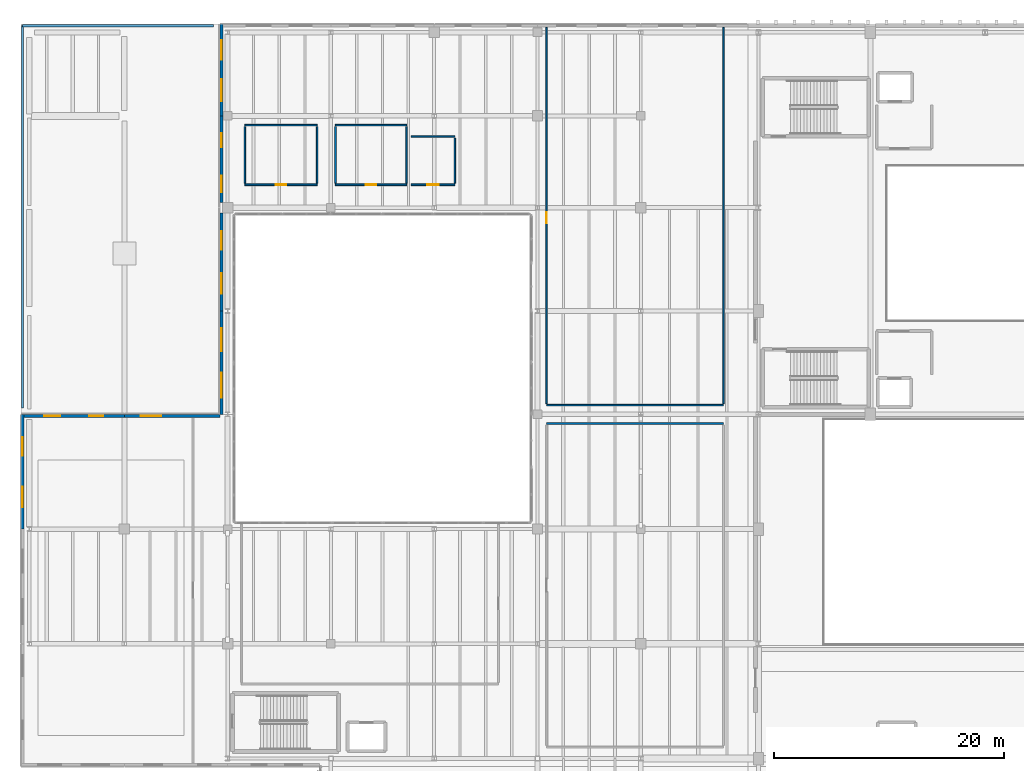
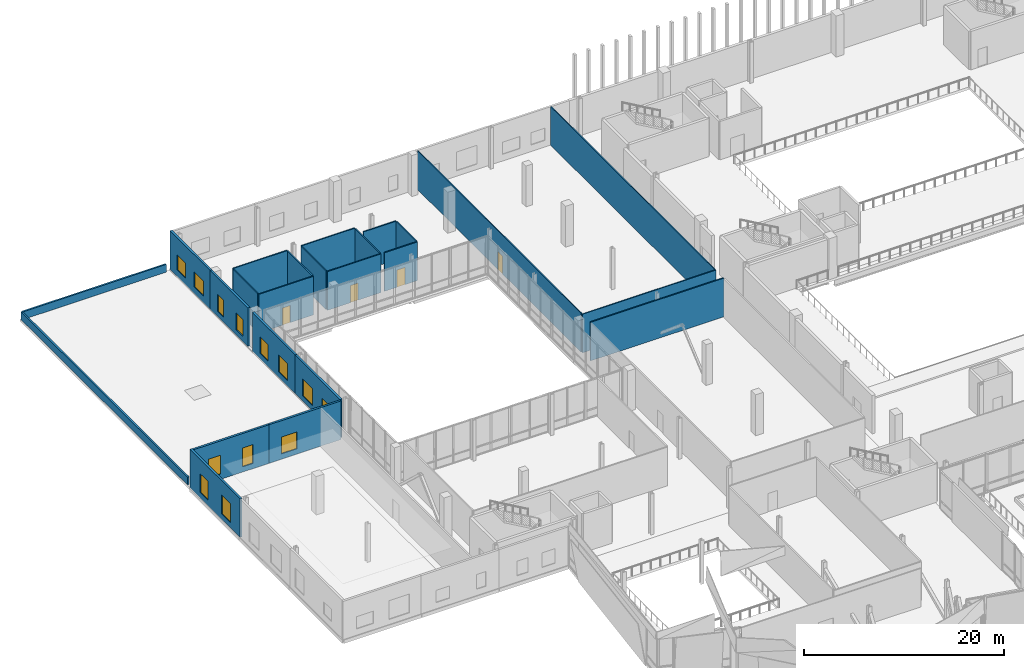
# One storey, part 44 of 60: 24 walls, 13 windows, 4 doors, 17 openings.
"""IFC4 building model written with IfcOpenShell, lengths in metres."""

from ifc_helpers import new_model, si_unit, direction, frame, frame_2d, origin, place, context, subcontext, project, spatial, rectangle, extrude, material, layer, layer_set, type_object, element, fill, save


model = new_model("IFC4")

# Units and contexts
model_context = context("Model", 3, precision=1e-05, world=origin(), true_north=direction((0.0, 1.0)))
body_context = subcontext(model_context, "Body", "Model", "MODEL_VIEW")
ifc_project = project(units=[si_unit("LENGTHUNIT", "METRE"), si_unit("AREAUNIT", "SQUARE_METRE"), si_unit("VOLUMEUNIT", "CUBIC_METRE"), si_unit("PLANEANGLEUNIT", "RADIAN"), si_unit("MASSUNIT", "GRAM", prefix="KILO")], contexts=[model_context])

# Site, building, storey
site_placement = place(None, origin())
site = spatial("IfcSite", under=ifc_project, at=site_placement, CompositionType="ELEMENT")
building_placement = place(site_placement, origin())
building = spatial("IfcBuilding", under=site, at=building_placement, Name="Trimount Lyric Opera House", CompositionType="ELEMENT")
storey_placement = place(building_placement, frame((0.0, 0.0, 15.0)))
storey = spatial("IfcBuildingStorey", under=building, at=storey_placement, Name="L03", CompositionType="ELEMENT", Elevation=15.0)

# Walls
ifc_material_1 = material(Name="Precast concrete C40/50", Category="concrete")
ifc_layer_1 = layer(ifc_material_1, 0.18994140625)
ifc_layer_set_1 = layer_set([ifc_layer_1], Name="WL-PA190")
wall_type_1 = type_object("IfcWallType", Name="WL-PA190", PredefinedType="PARAPET", material=ifc_layer_set_1)
wall_1_placement = place(storey_placement, frame((0.139892578125, 84.550048828125, 0.0), z_axis=(0.0, 0.0, 1.0), x_axis=(0.0, 1.0, 0.0)))
element("IfcWall", 1, at=wall_1_placement, inside=storey, type_object=wall_type_1, Name="L03 roof parapet 009", PredefinedType="PARAPET", context=body_context, shape_type="SweptSolid", body=[
    extrude(rectangle(XDim=33.31005859375, YDim=0.18994140625, at=frame_2d((16.655029296875, 0.0))), origin(), (0.0, 0.0, 1.0), 0.949951171875),
])
wall_2_placement = place(storey_placement, frame((0.139892578125, 117.860107421875, 0.0), z_axis=(0.0, 0.0, 1.0), x_axis=(1.0, 0.0, 0.0)))
element("IfcWall", 2, at=wall_2_placement, inside=storey, type_object=wall_type_1, Name="L03 roof parapet 010", PredefinedType="PARAPET", context=body_context, shape_type="SweptSolid", body=[
    extrude(rectangle(XDim=16.630126953125, YDim=0.18994140625, at=frame_2d((8.31494140625, 0.0))), origin(), (0.0, 0.0, 1.0), 0.949951171875),
])
ifc_material_2 = material(Name="Gypsum Board Partition")
ifc_layer_2 = layer(ifc_material_2, 0.1201171875)
ifc_layer_set_2 = layer_set([ifc_layer_2], Name="WL-PT120")
wall_type_2 = type_object("IfcWallType", Name="WL-PT120", PredefinedType="PARTITIONING", material=ifc_layer_set_2)
wall_3_placement = place(storey_placement, frame((45.800048828125, 84.800048828125, 0.0), z_axis=(0.0, 0.0, 1.0), x_axis=(1.0, 0.0, 0.0)))
element("IfcWall", 3, at=wall_3_placement, inside=storey, type_object=wall_type_2, Name="L03 Artistic & Music Direction Suite S partition", PredefinedType="PARTITIONING", context=body_context, shape_type="SweptSolid", body=[
    extrude(rectangle(XDim=15.39990234375, YDim=0.1201171875, at=frame_2d((7.699951171875, 0.0))), origin(), (0.0, 0.0, 1.0), 4.719970703125),
])

# Wall, opening, door
wall_4_placement = place(storey_placement, frame((45.800048828125, 117.719970703125, 0.0), z_axis=(0.0, 0.0, 1.0), x_axis=(0.0, -1.0, 0.0)))
wall_4 = element("IfcWall", 4, at=wall_4_placement, inside=storey, type_object=wall_type_2, Name="L03 Artistic & Music Direction Suite W partition", PredefinedType="PARTITIONING", context=body_context, shape_type="SweptSolid", body=[
    extrude(rectangle(XDim=32.800048828125, YDim=0.1201171875, at=frame_2d((16.39990234375, 0.0))), origin(), (0.0, 0.0, 1.0), 4.719970703125),
])
opening_1_placement = place(wall_4_placement, frame((16.125, 0.0, 0.0)))
opening_1 = element("IfcOpeningElement", 5, at=opening_1_placement, cuts=wall_4, Name="Opening DT-RM2", PredefinedType="OPENING", context=body_context, shape_type="SweptSolid", body=[
    extrude(rectangle(XDim=0.949951171875, YDim=2.14990234375, at=frame_2d((0.47509765625, 1.074951171875))), frame((0.0, 0.070068359375, 0.0), z_axis=(0.0, -1.0, 0.0), x_axis=(1.0, 0.0, 0.0)), (0.0, 0.0, 1.0), 0.14013671875),
])
ifc_material_3 = material(Name="Solid Core White Oak")
door_type_1 = type_object("IfcDoorType", Name="DT-RM2", OperationType="NOTDEFINED", PredefinedType="DOOR", material=ifc_material_3)
door_1_placement = place(opening_1_placement, origin())
door_1 = element("IfcDoor", 6, at=door_1_placement, inside=storey, type_object=door_type_1, Name="D-229", OperationType="SINGLE_SWING_LEFT", OverallHeight=2.14990234375, OverallWidth=0.949951171875, PredefinedType="DOOR", context=body_context, shape_type="SweptSolid", body=[
    extrude(rectangle(XDim=0.949951171875, YDim=2.14990234375, at=frame_2d((0.47509765625, 1.074951171875))), frame((0.0, 0.02490234375, 0.0), z_axis=(0.0, -1.0, 0.0), x_axis=(1.0, 0.0, 0.0)), (0.0, 0.0, 1.0), 0.050048828125),
])
fill(opening_1, door_1)

# Wall
wall_5_placement = place(storey_placement, frame((61.199951171875, 84.919921875, 0.0), z_axis=(0.0, 0.0, 1.0), x_axis=(0.0, 1.0, 0.0)))
element("IfcWall", 7, at=wall_5_placement, inside=storey, type_object=wall_type_2, Name="L03 Artistic & Music Direction Suite E partition", PredefinedType="PARTITIONING", context=body_context, shape_type="SweptSolid", body=[
    extrude(rectangle(XDim=32.800048828125, YDim=0.1201171875, at=frame_2d((16.39990234375, 0.0))), origin(), (0.0, 0.0, 1.0), 4.719970703125),
])

# Wall, opening, door
ifc_material_4 = material(Name="Moisture-Resistant Gypsum Board")
ifc_layer_3 = layer(ifc_material_4, 0.135009765625)
ifc_layer_set_3 = layer_set([ifc_layer_3], Name="WL-PT135")
wall_type_3 = type_object("IfcWallType", Name="WL-PT135", PredefinedType="PARTITIONING", material=ifc_layer_set_3)
wall_6_placement = place(storey_placement, frame((19.5, 104.0, 0.0), z_axis=(0.0, 0.0, 1.0), x_axis=(1.0, 0.0, 0.0)))
wall_6 = element("IfcWall", 8, at=wall_6_placement, inside=storey, type_object=wall_type_3, Name="L03 L03 Male Restroom S partition", PredefinedType="PARTITIONING", context=body_context, shape_type="SweptSolid", body=[
    extrude(rectangle(XDim=6.300048828125, YDim=0.135009765625, at=frame_2d((3.14990234375, 0.0))), origin(), (0.0, 0.0, 1.0), 4.719970703125),
])
opening_2_placement = place(wall_6_placement, frame((2.68994140625, 0.0, 0.0)))
opening_2 = element("IfcOpeningElement", 9, at=opening_2_placement, cuts=wall_6, Name="Opening DT-WC1", PredefinedType="OPENING", context=body_context, shape_type="SweptSolid", body=[
    extrude(rectangle(XDim=0.919921875, YDim=2.10009765625, at=frame_2d((0.4599609375, 1.050048828125))), frame((0.0, 0.07763671875, 0.0), z_axis=(0.0, -1.0, 0.0), x_axis=(1.0, 0.0, 0.0)), (0.0, 0.0, 1.0), 0.155029296875),
])
ifc_material_5 = material(Name="Moisture-Resistant Solid-Core Laminate")
door_type_2 = type_object("IfcDoorType", Name="DT-WC1", OperationType="NOTDEFINED", PredefinedType="DOOR", material=ifc_material_5)
door_2_placement = place(opening_2_placement, origin())
door_2 = element("IfcDoor", 10, at=door_2_placement, inside=storey, type_object=door_type_2, Name="D-231", OperationType="SINGLE_SWING_LEFT", OverallHeight=2.10009765625, OverallWidth=0.919921875, PredefinedType="DOOR", context=body_context, shape_type="SweptSolid", body=[
    extrude(rectangle(XDim=0.919921875, YDim=2.10009765625, at=frame_2d((0.4599609375, 1.050048828125))), frame((0.0, 0.02490234375, 0.0), z_axis=(0.0, -1.0, 0.0), x_axis=(1.0, 0.0, 0.0)), (0.0, 0.0, 1.0), 0.050048828125),
])
fill(opening_2, door_2)

# Walls
wall_7_placement = place(storey_placement, frame((25.800048828125, 109.199951171875, 0.0), z_axis=(0.0, 0.0, 1.0), x_axis=(-1.0, 0.0, 0.0)))
element("IfcWall", 11, at=wall_7_placement, inside=storey, type_object=wall_type_3, Name="L03 L03 Male Restroom N partition", PredefinedType="PARTITIONING", context=body_context, shape_type="SweptSolid", body=[
    extrude(rectangle(XDim=6.300048828125, YDim=0.135009765625, at=frame_2d((3.14990234375, 0.0))), origin(), (0.0, 0.0, 1.0), 4.719970703125),
])
for number, where, z_axis, x_axis, name in (
    (12, (19.5, 109.06494140625, 0.0), (0.0, 0.0, 1.0), (0.0, -1.0, 0.0), "L03 L03 Male Restroom W partition"),
    (13, (25.800048828125, 104.135009765625, 0.0), (0.0, 0.0, 1.0), (0.0, 1.0, 0.0), "L03 L03 Male Restroom E partition"),
):
    element("IfcWall", number, at=place(storey_placement, frame(where, z_axis=z_axis, x_axis=x_axis)), inside=storey, type_object=wall_type_3, Name=name, PredefinedType="PARTITIONING", context=body_context, shape_type="SweptSolid", body=[
        extrude(rectangle(XDim=4.929931640625, YDim=0.135009765625, at=frame_2d((2.46484375, 0.0))), origin(), (0.0, 0.0, 1.0), 4.719970703125),
    ])

# Wall, opening, door
wall_8_placement = place(storey_placement, frame((27.39990234375, 104.0, 0.0), z_axis=(0.0, 0.0, 1.0), x_axis=(1.0, 0.0, 0.0)))
wall_8 = element("IfcWall", 14, at=wall_8_placement, inside=storey, type_object=wall_type_3, Name="L03 L03 Female Restroom S partition", PredefinedType="PARTITIONING", context=body_context, shape_type="SweptSolid", body=[
    extrude(rectangle(XDim=6.2001953125, YDim=0.135009765625, at=frame_2d((3.10009765625, 0.0))), origin(), (0.0, 0.0, 1.0), 4.719970703125),
])
opening_3_placement = place(wall_8_placement, frame((2.639892578125, 0.0, 0.0)))
opening_3 = element("IfcOpeningElement", 15, at=opening_3_placement, cuts=wall_8, Name="Opening DT-WC1", PredefinedType="OPENING", context=body_context, shape_type="SweptSolid", body=[
    extrude(rectangle(XDim=0.919921875, YDim=2.10009765625, at=frame_2d((0.4599609375, 1.050048828125))), frame((0.0, 0.07763671875, 0.0), z_axis=(0.0, -1.0, 0.0), x_axis=(1.0, 0.0, 0.0)), (0.0, 0.0, 1.0), 0.155029296875),
])
door_3_placement = place(opening_3_placement, origin())
door_3 = element("IfcDoor", 16, at=door_3_placement, inside=storey, type_object=door_type_2, Name="D-232", OperationType="SINGLE_SWING_RIGHT", OverallHeight=2.10009765625, OverallWidth=0.919921875, PredefinedType="DOOR", context=body_context, shape_type="SweptSolid", body=[
    extrude(rectangle(XDim=0.919921875, YDim=2.10009765625, at=frame_2d((0.4599609375, 1.050048828125))), frame((0.0, 0.02490234375, 0.0), z_axis=(0.0, -1.0, 0.0), x_axis=(1.0, 0.0, 0.0)), (0.0, 0.0, 1.0), 0.050048828125),
])
fill(opening_3, door_3)

# Walls
wall_9_placement = place(storey_placement, frame((33.60009765625, 109.199951171875, 0.0), z_axis=(0.0, 0.0, 1.0), x_axis=(-1.0, 0.0, 0.0)))
element("IfcWall", 17, at=wall_9_placement, inside=storey, type_object=wall_type_3, Name="L03 L03 Female Restroom N partition", PredefinedType="PARTITIONING", context=body_context, shape_type="SweptSolid", body=[
    extrude(rectangle(XDim=6.2001953125, YDim=0.135009765625, at=frame_2d((3.10009765625, 0.0))), origin(), (0.0, 0.0, 1.0), 4.719970703125),
])
for number, where, z_axis, x_axis, name in (
    (18, (27.39990234375, 109.06494140625, 0.0), (0.0, 0.0, 1.0), (0.0, -1.0, 0.0), "L03 L03 Female Restroom W partition"),
    (19, (33.60009765625, 104.135009765625, 0.0), (0.0, 0.0, 1.0), (0.0, 1.0, 0.0), "L03 L03 Female Restroom E partition"),
):
    element("IfcWall", number, at=place(storey_placement, frame(where, z_axis=z_axis, x_axis=x_axis)), inside=storey, type_object=wall_type_3, Name=name, PredefinedType="PARTITIONING", context=body_context, shape_type="SweptSolid", body=[
        extrude(rectangle(XDim=4.929931640625, YDim=0.135009765625, at=frame_2d((2.46484375, 0.0))), origin(), (0.0, 0.0, 1.0), 4.719970703125),
    ])

# Wall, opening, door
wall_10_placement = place(storey_placement, frame((34.0, 104.0, 0.0), z_axis=(0.0, 0.0, 1.0), x_axis=(1.0, 0.0, 0.0)))
wall_10 = element("IfcWall", 20, at=wall_10_placement, inside=storey, type_object=wall_type_3, Name="L03 L03 Accessible WC S partition", PredefinedType="PARTITIONING", context=body_context, shape_type="SweptSolid", body=[
    extrude(rectangle(XDim=3.800048828125, YDim=0.135009765625, at=frame_2d((1.89990234375, 0.0))), origin(), (0.0, 0.0, 1.0), 4.719970703125),
])
opening_4_placement = place(wall_10_placement, frame((1.409912109375, 0.0, 0.0)))
opening_4 = element("IfcOpeningElement", 21, at=opening_4_placement, cuts=wall_10, Name="Opening DT-WC2", PredefinedType="OPENING", context=body_context, shape_type="SweptSolid", body=[
    extrude(rectangle(XDim=0.97998046875, YDim=2.10009765625, at=frame_2d((0.489990234375, 1.050048828125))), frame((0.0, 0.07763671875, 0.0), z_axis=(0.0, -1.0, 0.0), x_axis=(1.0, 0.0, 0.0)), (0.0, 0.0, 1.0), 0.155029296875),
])
ifc_material_6 = material(Name="Moisture-Resistant Solid-Core Laminate")
door_type_3 = type_object("IfcDoorType", Name="DT-WC2", OperationType="NOTDEFINED", PredefinedType="DOOR", material=ifc_material_6)
door_4_placement = place(opening_4_placement, origin())
door_4 = element("IfcDoor", 22, at=door_4_placement, inside=storey, type_object=door_type_3, Name="D-233", OperationType="SINGLE_SWING_LEFT", OverallHeight=2.10009765625, OverallWidth=0.97998046875, PredefinedType="DOOR", context=body_context, shape_type="SweptSolid", body=[
    extrude(rectangle(XDim=0.97998046875, YDim=2.10009765625, at=frame_2d((0.489990234375, 1.050048828125))), frame((0.0, 0.02490234375, 0.0), z_axis=(0.0, -1.0, 0.0), x_axis=(1.0, 0.0, 0.0)), (0.0, 0.0, 1.0), 0.050048828125),
])
fill(opening_4, door_4)

# Walls
wall_11_placement = place(storey_placement, frame((37.800048828125, 108.199951171875, 0.0), z_axis=(0.0, 0.0, 1.0), x_axis=(-1.0, 0.0, 0.0)))
element("IfcWall", 23, at=wall_11_placement, inside=storey, type_object=wall_type_3, Name="L03 L03 Accessible WC N partition", PredefinedType="PARTITIONING", context=body_context, shape_type="SweptSolid", body=[
    extrude(rectangle(XDim=3.800048828125, YDim=0.135009765625, at=frame_2d((1.89990234375, 0.0))), origin(), (0.0, 0.0, 1.0), 4.719970703125),
])
wall_12_placement = place(storey_placement, frame((37.800048828125, 104.135009765625, 0.0), z_axis=(0.0, 0.0, 1.0), x_axis=(0.0, 1.0, 0.0)))
element("IfcWall", 24, at=wall_12_placement, inside=storey, type_object=wall_type_3, Name="L03 L03 Accessible WC E partition", PredefinedType="PARTITIONING", context=body_context, shape_type="SweptSolid", body=[
    extrude(rectangle(XDim=3.929931640625, YDim=0.135009765625, at=frame_2d((1.96484375, 0.0))), origin(), (0.0, 0.0, 1.0), 4.719970703125),
])
ifc_material_7 = material(Name="Fire-Rated Gypsum Board Partition")
ifc_layer_4 = layer(ifc_material_7, 0.14990234375)
ifc_layer_set_4 = layer_set([ifc_layer_4], Name="WL-PT150")
wall_type_4 = type_object("IfcWallType", Name="WL-PT150", PredefinedType="PARTITIONING", material=ifc_layer_set_4)
wall_13_placement = place(storey_placement, frame((61.199951171875, 83.199951171875, 0.0), z_axis=(0.0, 0.0, 1.0), x_axis=(-1.0, 0.0, 0.0)))
element("IfcWall", 25, at=wall_13_placement, inside=storey, type_object=wall_type_4, Name="L03 Young Artist Residency Studio N partition", PredefinedType="PARTITIONING", context=body_context, shape_type="SweptSolid", body=[
    extrude(rectangle(XDim=15.39990234375, YDim=0.14990234375, at=frame_2d((7.699951171875, 0.0))), origin(), (0.0, 0.0, 1.0), 4.719970703125),
])

# Wall, openings, windows
ifc_material_8 = material(Name="Concrete C35/45", Category="concrete")
ifc_layer_5 = layer(ifc_material_8, 0.239990234375)
ifc_layer_set_5 = layer_set([ifc_layer_5], Name="WL-SW240")
wall_type_5 = type_object("IfcWallType", Name="WL-SW240", PredefinedType="SOLIDWALL", material=ifc_layer_set_5)
wall_14_placement = place(storey_placement, frame((0.139892578125, 74.0, 0.0), z_axis=(0.0, 0.0, 1.0), x_axis=(0.0, 1.0, 0.0)))
wall_14 = element("IfcWall", 26, at=wall_14_placement, inside=storey, type_object=wall_type_5, Name="L03 exterior facade wall 246", PredefinedType="SOLIDWALL", context=body_context, shape_type="SweptSolid", body=[
    extrude(rectangle(XDim=10.0, YDim=0.239990234375, at=frame_2d((5.0, 0.0))), origin(), (0.0, 0.0, 1.0), 4.7099609375),
])
opening_5_placement = place(wall_14_placement, frame((1.89990234375, 0.0, 0.64990234375)))
opening_5 = element("IfcOpeningElement", 27, at=opening_5_placement, cuts=wall_14, Name="Opening WT-04", PredefinedType="OPENING", context=body_context, shape_type="SweptSolid", body=[
    extrude(rectangle(XDim=1.800048828125, YDim=2.300048828125, at=frame_2d((0.89990234375, 1.14990234375))), frame((0.0, 0.1298828125, 0.0), z_axis=(0.0, -1.0, 0.0), x_axis=(1.0, 0.0, 0.0)), (0.0, 0.0, 1.0), 0.260009765625),
])
opening_6_placement = place(wall_14_placement, frame((6.39990234375, 0.0, 0.64990234375)))
opening_6 = element("IfcOpeningElement", 28, at=opening_6_placement, cuts=wall_14, Name="Opening WT-05", PredefinedType="OPENING", context=body_context, shape_type="SweptSolid", body=[
    extrude(rectangle(XDim=1.60009765625, YDim=2.300048828125, at=frame_2d((0.800048828125, 1.14990234375))), frame((0.0, 0.1298828125, 0.0), z_axis=(0.0, -1.0, 0.0), x_axis=(1.0, 0.0, 0.0)), (0.0, 0.0, 1.0), 0.260009765625),
])
ifc_material_9 = material(Name="Triple Acoustic Glazing in Aluminium Frame", Category="aluminium")
window_type_1 = type_object("IfcWindowType", Name="WT-04", PartitioningType="DOUBLE_PANEL_VERTICAL", PredefinedType="WINDOW", material=ifc_material_9)
window_1_placement = place(opening_5_placement, origin())
window_1 = element("IfcWindow", 29, at=window_1_placement, inside=storey, type_object=window_type_1, Name="Window WT-04-0212", OverallHeight=2.300048828125, OverallWidth=1.800048828125, PartitioningType="SINGLE_PANEL", PredefinedType="WINDOW", context=body_context, shape_type="SweptSolid", body=[
    extrude(rectangle(XDim=1.800048828125, YDim=2.300048828125, at=frame_2d((0.89990234375, 1.14990234375))), frame((0.0, 0.030029296875, 0.0), z_axis=(0.0, -1.0, 0.0), x_axis=(1.0, 0.0, 0.0)), (0.0, 0.0, 1.0), 0.06005859375),
])
fill(opening_5, window_1)
ifc_material_10 = material(Name="Triple Acoustic Glazing in Aluminium Frame", Category="aluminium")
window_type_2 = type_object("IfcWindowType", Name="WT-05", PartitioningType="SINGLE_PANEL", PredefinedType="WINDOW", material=ifc_material_10)
window_2_placement = place(opening_6_placement, origin())
window_2 = element("IfcWindow", 30, at=window_2_placement, inside=storey, type_object=window_type_2, Name="Window WT-05-0213", OverallHeight=2.300048828125, OverallWidth=1.60009765625, PartitioningType="SINGLE_PANEL", PredefinedType="WINDOW", context=body_context, shape_type="SweptSolid", body=[
    extrude(rectangle(XDim=1.60009765625, YDim=2.300048828125, at=frame_2d((0.800048828125, 1.14990234375))), frame((0.0, 0.030029296875, 0.0), z_axis=(0.0, -1.0, 0.0), x_axis=(1.0, 0.0, 0.0)), (0.0, 0.0, 1.0), 0.06005859375),
])
fill(opening_6, window_2)

wall_15_placement = place(storey_placement, frame((0.264892578125, 83.860107421875, 0.0), z_axis=(0.0, 0.0, 1.0), x_axis=(1.0, 0.0, 0.0)))
wall_15 = element("IfcWall", 31, at=wall_15_placement, inside=storey, type_object=wall_type_5, Name="L03 exterior facade wall 247", PredefinedType="SOLIDWALL", context=body_context, shape_type="SweptSolid", body=[
    extrude(rectangle(XDim=8.735107421875, YDim=0.239990234375, at=frame_2d((4.36767578125, 0.0))), origin(), (0.0, 0.0, 1.0), 4.7099609375),
])
opening_7_placement = place(wall_15_placement, frame((1.745849609375, 0.0, 0.64990234375)))
opening_7 = element("IfcOpeningElement", 32, at=opening_7_placement, cuts=wall_15, Name="Opening WT-06", PredefinedType="OPENING", context=body_context, shape_type="SweptSolid", body=[
    extrude(rectangle(XDim=1.39990234375, YDim=2.300048828125, at=frame_2d((0.699951171875, 1.14990234375))), frame((0.0, 0.1298828125, 0.0), z_axis=(0.0, -1.0, 0.0), x_axis=(1.0, 0.0, 0.0)), (0.0, 0.0, 1.0), 0.260009765625),
])
opening_8_placement = place(wall_15_placement, frame((5.689208984375, 0.0, 0.64990234375)))
opening_8 = element("IfcOpeningElement", 33, at=opening_8_placement, cuts=wall_15, Name="Opening WT-07", PredefinedType="OPENING", context=body_context, shape_type="SweptSolid", body=[
    extrude(rectangle(XDim=1.199951171875, YDim=2.300048828125, at=frame_2d((0.60009765625, 1.14990234375))), frame((0.0, 0.1298828125, 0.0), z_axis=(0.0, -1.0, 0.0), x_axis=(1.0, 0.0, 0.0)), (0.0, 0.0, 1.0), 0.260009765625),
])
ifc_material_11 = material(Name="Triple Acoustic Glazing in Aluminium Frame", Category="aluminium")
window_type_3 = type_object("IfcWindowType", Name="WT-06", PartitioningType="SINGLE_PANEL", PredefinedType="WINDOW", material=ifc_material_11)
window_3_placement = place(opening_7_placement, origin())
window_3 = element("IfcWindow", 34, at=window_3_placement, inside=storey, type_object=window_type_3, Name="Window WT-06-0214", OverallHeight=2.300048828125, OverallWidth=1.39990234375, PartitioningType="SINGLE_PANEL", PredefinedType="WINDOW", context=body_context, shape_type="SweptSolid", body=[
    extrude(rectangle(XDim=1.39990234375, YDim=2.300048828125, at=frame_2d((0.699951171875, 1.14990234375))), frame((0.0, 0.030029296875, 0.0), z_axis=(0.0, -1.0, 0.0), x_axis=(1.0, 0.0, 0.0)), (0.0, 0.0, 1.0), 0.06005859375),
])
fill(opening_7, window_3)
ifc_material_12 = material(Name="Triple Acoustic Glazing in Aluminium Frame", Category="aluminium")
window_type_4 = type_object("IfcWindowType", Name="WT-07", PartitioningType="SINGLE_PANEL", PredefinedType="WINDOW", material=ifc_material_12)
window_4_placement = place(opening_8_placement, origin())
window_4 = element("IfcWindow", 35, at=window_4_placement, inside=storey, type_object=window_type_4, Name="Window WT-07-0215", OverallHeight=2.300048828125, OverallWidth=1.199951171875, PartitioningType="SINGLE_PANEL", PredefinedType="WINDOW", context=body_context, shape_type="SweptSolid", body=[
    extrude(rectangle(XDim=1.199951171875, YDim=2.300048828125, at=frame_2d((0.60009765625, 1.14990234375))), frame((0.0, 0.030029296875, 0.0), z_axis=(0.0, -1.0, 0.0), x_axis=(1.0, 0.0, 0.0)), (0.0, 0.0, 1.0), 0.06005859375),
])
fill(opening_8, window_4)

# Wall, opening, window
wall_16_placement = place(storey_placement, frame((9.0, 83.860107421875, 0.0), z_axis=(0.0, 0.0, 1.0), x_axis=(1.0, 0.0, 0.0)))
wall_16 = element("IfcWall", 36, at=wall_16_placement, inside=storey, type_object=wall_type_5, Name="L03 exterior facade wall 248", PredefinedType="SOLIDWALL", context=body_context, shape_type="SweptSolid", body=[
    extrude(rectangle(XDim=8.320068359375, YDim=0.239990234375, at=frame_2d((4.16015625, 0.0))), origin(), (0.0, 0.0, 1.0), 4.7099609375),
])
opening_9_placement = place(wall_16_placement, frame((1.4296875, 0.0, 0.64990234375)))
opening_9 = element("IfcOpeningElement", 37, at=opening_9_placement, cuts=wall_16, Name="Opening WT-11", PredefinedType="OPENING", context=body_context, shape_type="SweptSolid", body=[
    extrude(rectangle(XDim=1.800048828125, YDim=2.050048828125, at=frame_2d((0.89990234375, 1.02490234375))), frame((0.0, 0.1298828125, 0.0), z_axis=(0.0, -1.0, 0.0), x_axis=(1.0, 0.0, 0.0)), (0.0, 0.0, 1.0), 0.260009765625),
])
ifc_material_13 = material(Name="Low-E Insulated Glazing in Bronze Frame", Category="glass")
window_type_5 = type_object("IfcWindowType", Name="WT-11", PartitioningType="DOUBLE_PANEL_VERTICAL", PredefinedType="WINDOW", material=ifc_material_13)
window_5_placement = place(opening_9_placement, origin())
window_5 = element("IfcWindow", 38, at=window_5_placement, inside=storey, type_object=window_type_5, Name="Window WT-11-0216", OverallHeight=2.050048828125, OverallWidth=1.800048828125, PartitioningType="SINGLE_PANEL", PredefinedType="WINDOW", context=body_context, shape_type="SweptSolid", body=[
    extrude(rectangle(XDim=1.800048828125, YDim=2.050048828125, at=frame_2d((0.89990234375, 1.02490234375))), frame((0.0, 0.030029296875, 0.0), z_axis=(0.0, -1.0, 0.0), x_axis=(1.0, 0.0, 0.0)), (0.0, 0.0, 1.0), 0.06005859375),
])
fill(opening_9, window_5)

# Wall, openings, windows
wall_17_placement = place(storey_placement, frame((17.4599609375, 84.0, 0.0), z_axis=(0.0, 0.0, 1.0), x_axis=(0.0, 1.0, 0.0)))
wall_17 = element("IfcWall", 39, at=wall_17_placement, inside=storey, type_object=wall_type_5, Name="L03 exterior facade wall 249", PredefinedType="SOLIDWALL", context=body_context, shape_type="SweptSolid", body=[
    extrude(rectangle(XDim=9.0, YDim=0.239990234375, at=frame_2d((4.5, 0.0))), origin(), (0.0, 0.0, 1.0), 4.7099609375),
])
opening_10_placement = place(wall_17_placement, frame((1.419921875, 0.0, 0.64990234375)))
opening_10 = element("IfcOpeningElement", 40, at=opening_10_placement, cuts=wall_17, Name="Opening WT-09", PredefinedType="OPENING", context=body_context, shape_type="SweptSolid", body=[
    extrude(rectangle(XDim=2.199951171875, YDim=2.050048828125, at=frame_2d((1.10009765625, 1.02490234375))), frame((0.0, 0.1298828125, 0.0), z_axis=(0.0, -1.0, 0.0), x_axis=(1.0, 0.0, 0.0)), (0.0, 0.0, 1.0), 0.260009765625),
])
opening_11_placement = place(wall_17_placement, frame((5.47998046875, 0.0, 0.64990234375)))
opening_11 = element("IfcOpeningElement", 41, at=opening_11_placement, cuts=wall_17, Name="Opening WT-10", PredefinedType="OPENING", context=body_context, shape_type="SweptSolid", body=[
    extrude(rectangle(XDim=2.0, YDim=2.050048828125, at=frame_2d((1.0, 1.02490234375))), frame((0.0, 0.1298828125, 0.0), z_axis=(0.0, -1.0, 0.0), x_axis=(1.0, 0.0, 0.0)), (0.0, 0.0, 1.0), 0.260009765625),
])
ifc_material_14 = material(Name="Low-E Insulated Glazing in Bronze Frame", Category="glass")
window_type_6 = type_object("IfcWindowType", Name="WT-09", PartitioningType="DOUBLE_PANEL_VERTICAL", PredefinedType="WINDOW", material=ifc_material_14)
window_6_placement = place(opening_10_placement, origin())
window_6 = element("IfcWindow", 42, at=window_6_placement, inside=storey, type_object=window_type_6, Name="Window WT-09-0217", OverallHeight=2.050048828125, OverallWidth=2.199951171875, PartitioningType="SINGLE_PANEL", PredefinedType="WINDOW", context=body_context, shape_type="SweptSolid", body=[
    extrude(rectangle(XDim=2.199951171875, YDim=2.050048828125, at=frame_2d((1.10009765625, 1.02490234375))), frame((0.0, 0.030029296875, 0.0), z_axis=(0.0, -1.0, 0.0), x_axis=(1.0, 0.0, 0.0)), (0.0, 0.0, 1.0), 0.06005859375),
])
fill(opening_10, window_6)
ifc_material_15 = material(Name="Low-E Insulated Glazing in Bronze Frame", Category="glass")
window_type_7 = type_object("IfcWindowType", Name="WT-10", PartitioningType="DOUBLE_PANEL_VERTICAL", PredefinedType="WINDOW", material=ifc_material_15)
window_7_placement = place(opening_11_placement, origin())
window_7 = element("IfcWindow", 43, at=window_7_placement, inside=storey, type_object=window_type_7, Name="Window WT-10-0218", OverallHeight=2.050048828125, OverallWidth=2.0, PartitioningType="SINGLE_PANEL", PredefinedType="WINDOW", context=body_context, shape_type="SweptSolid", body=[
    extrude(rectangle(XDim=2.0, YDim=2.050048828125, at=frame_2d((1.0, 1.02490234375))), frame((0.0, 0.030029296875, 0.0), z_axis=(0.0, -1.0, 0.0), x_axis=(1.0, 0.0, 0.0)), (0.0, 0.0, 1.0), 0.06005859375),
])
fill(opening_11, window_7)

wall_18_placement = place(storey_placement, frame((17.4599609375, 93.0, 0.0), z_axis=(0.0, 0.0, 1.0), x_axis=(0.0, 1.0, 0.0)))
wall_18 = element("IfcWall", 44, at=wall_18_placement, inside=storey, type_object=wall_type_5, Name="L03 exterior facade wall 250", PredefinedType="SOLIDWALL", context=body_context, shape_type="SweptSolid", body=[
    extrude(rectangle(XDim=8.550048828125, YDim=0.239990234375, at=frame_2d((4.27490234375, 0.0))), origin(), (0.0, 0.0, 1.0), 4.719970703125),
])
opening_12_placement = place(wall_18_placement, frame((1.493896484375, 0.0, 0.64990234375)))
opening_12 = element("IfcOpeningElement", 45, at=opening_12_placement, cuts=wall_18, Name="Opening WT-11", PredefinedType="OPENING", context=body_context, shape_type="SweptSolid", body=[
    extrude(rectangle(XDim=1.800048828125, YDim=2.050048828125, at=frame_2d((0.89990234375, 1.02490234375))), frame((0.0, 0.1298828125, 0.0), z_axis=(0.0, -1.0, 0.0), x_axis=(1.0, 0.0, 0.0)), (0.0, 0.0, 1.0), 0.260009765625),
])
opening_13_placement = place(wall_18_placement, frame((5.35595703125, 0.0, 0.64990234375)))
opening_13 = element("IfcOpeningElement", 46, at=opening_13_placement, cuts=wall_18, Name="Opening WT-12", PredefinedType="OPENING", context=body_context, shape_type="SweptSolid", body=[
    extrude(rectangle(XDim=1.60009765625, YDim=2.050048828125, at=frame_2d((0.800048828125, 1.02490234375))), frame((0.0, 0.1298828125, 0.0), z_axis=(0.0, -1.0, 0.0), x_axis=(1.0, 0.0, 0.0)), (0.0, 0.0, 1.0), 0.260009765625),
])
window_8_placement = place(opening_12_placement, origin())
window_8 = element("IfcWindow", 47, at=window_8_placement, inside=storey, type_object=window_type_5, Name="Window WT-11-0219", OverallHeight=2.050048828125, OverallWidth=1.800048828125, PartitioningType="SINGLE_PANEL", PredefinedType="WINDOW", context=body_context, shape_type="SweptSolid", body=[
    extrude(rectangle(XDim=1.800048828125, YDim=2.050048828125, at=frame_2d((0.89990234375, 1.02490234375))), frame((0.0, 0.030029296875, 0.0), z_axis=(0.0, -1.0, 0.0), x_axis=(1.0, 0.0, 0.0)), (0.0, 0.0, 1.0), 0.06005859375),
])
fill(opening_12, window_8)
ifc_material_16 = material(Name="Low-E Insulated Glazing in Bronze Frame", Category="glass")
window_type_8 = type_object("IfcWindowType", Name="WT-12", PartitioningType="SINGLE_PANEL", PredefinedType="WINDOW", material=ifc_material_16)
window_9_placement = place(opening_13_placement, origin())
window_9 = element("IfcWindow", 48, at=window_9_placement, inside=storey, type_object=window_type_8, Name="Window WT-12-0220", OverallHeight=2.050048828125, OverallWidth=1.60009765625, PartitioningType="SINGLE_PANEL", PredefinedType="WINDOW", context=body_context, shape_type="SweptSolid", body=[
    extrude(rectangle(XDim=1.60009765625, YDim=2.050048828125, at=frame_2d((0.800048828125, 1.02490234375))), frame((0.0, 0.030029296875, 0.0), z_axis=(0.0, -1.0, 0.0), x_axis=(1.0, 0.0, 0.0)), (0.0, 0.0, 1.0), 0.06005859375),
])
fill(opening_13, window_9)

wall_19_placement = place(storey_placement, frame((17.4599609375, 102.449951171875, 0.0), z_axis=(0.0, 0.0, 1.0), x_axis=(0.0, 1.0, 0.0)))
wall_19 = element("IfcWall", 49, at=wall_19_placement, inside=storey, type_object=wall_type_5, Name="L03 exterior facade wall 251", PredefinedType="SOLIDWALL", context=body_context, shape_type="SweptSolid", body=[
    extrude(rectangle(XDim=7.550048828125, YDim=0.239990234375, at=frame_2d((3.77490234375, 0.0))), origin(), (0.0, 0.0, 1.0), 4.719970703125),
])
opening_14_placement = place(wall_19_placement, frame((0.9140625, 0.0, 0.64990234375)))
opening_14 = element("IfcOpeningElement", 50, at=opening_14_placement, cuts=wall_19, Name="Opening WT-13", PredefinedType="OPENING", context=body_context, shape_type="SweptSolid", body=[
    extrude(rectangle(XDim=1.39990234375, YDim=2.050048828125, at=frame_2d((0.699951171875, 1.02490234375))), frame((0.0, 0.1298828125, 0.0), z_axis=(0.0, -1.0, 0.0), x_axis=(1.0, 0.0, 0.0)), (0.0, 0.0, 1.0), 0.260009765625),
])
opening_15_placement = place(wall_19_placement, frame((4.8359375, 0.0, 0.64990234375)))
opening_15 = element("IfcOpeningElement", 51, at=opening_15_placement, cuts=wall_19, Name="Opening WT-14", PredefinedType="OPENING", context=body_context, shape_type="SweptSolid", body=[
    extrude(rectangle(XDim=1.199951171875, YDim=2.050048828125, at=frame_2d((0.60009765625, 1.02490234375))), frame((0.0, 0.1298828125, 0.0), z_axis=(0.0, -1.0, 0.0), x_axis=(1.0, 0.0, 0.0)), (0.0, 0.0, 1.0), 0.260009765625),
])
ifc_material_17 = material(Name="Low-E Insulated Glazing in Bronze Frame", Category="glass")
window_type_9 = type_object("IfcWindowType", Name="WT-13", PartitioningType="SINGLE_PANEL", PredefinedType="WINDOW", material=ifc_material_17)
window_10_placement = place(opening_14_placement, origin())
window_10 = element("IfcWindow", 52, at=window_10_placement, inside=storey, type_object=window_type_9, Name="Window WT-13-0221", OverallHeight=2.050048828125, OverallWidth=1.39990234375, PartitioningType="SINGLE_PANEL", PredefinedType="WINDOW", context=body_context, shape_type="SweptSolid", body=[
    extrude(rectangle(XDim=1.39990234375, YDim=2.050048828125, at=frame_2d((0.699951171875, 1.02490234375))), frame((0.0, 0.030029296875, 0.0), z_axis=(0.0, -1.0, 0.0), x_axis=(1.0, 0.0, 0.0)), (0.0, 0.0, 1.0), 0.06005859375),
])
fill(opening_14, window_10)
ifc_material_18 = material(Name="Low-E Insulated Glazing in Bronze Frame", Category="glass")
window_type_10 = type_object("IfcWindowType", Name="WT-14", PartitioningType="SINGLE_PANEL", PredefinedType="WINDOW", material=ifc_material_18)
window_11_placement = place(opening_15_placement, origin())
window_11 = element("IfcWindow", 53, at=window_11_placement, inside=storey, type_object=window_type_10, Name="Window WT-14-0222", OverallHeight=2.050048828125, OverallWidth=1.199951171875, PartitioningType="SINGLE_PANEL", PredefinedType="WINDOW", context=body_context, shape_type="SweptSolid", body=[
    extrude(rectangle(XDim=1.199951171875, YDim=2.050048828125, at=frame_2d((0.60009765625, 1.02490234375))), frame((0.0, 0.030029296875, 0.0), z_axis=(0.0, -1.0, 0.0), x_axis=(1.0, 0.0, 0.0)), (0.0, 0.0, 1.0), 0.06005859375),
])
fill(opening_15, window_11)

wall_20_placement = place(storey_placement, frame((17.4599609375, 110.0, 0.0), z_axis=(0.0, 0.0, 1.0), x_axis=(0.0, 1.0, 0.0)))
wall_20 = element("IfcWall", 54, at=wall_20_placement, inside=storey, type_object=wall_type_5, Name="L03 exterior facade wall 252", PredefinedType="SOLIDWALL", context=body_context, shape_type="SweptSolid", body=[
    extrude(rectangle(XDim=8.0, YDim=0.239990234375, at=frame_2d((4.0, 0.0))), origin(), (0.0, 0.0, 1.0), 4.719970703125),
])
opening_16_placement = place(wall_20_placement, frame((1.2900390625, 0.0, 0.800048828125)))
opening_16 = element("IfcOpeningElement", 55, at=opening_16_placement, cuts=wall_20, Name="Opening WT-18", PredefinedType="OPENING", context=body_context, shape_type="SweptSolid", body=[
    extrude(rectangle(XDim=1.89990234375, YDim=1.800048828125, at=frame_2d((0.949951171875, 0.89990234375))), frame((0.0, 0.1298828125, 0.0), z_axis=(0.0, -1.0, 0.0), x_axis=(1.0, 0.0, 0.0)), (0.0, 0.0, 1.0), 0.260009765625),
])
opening_17_placement = place(wall_20_placement, frame((4.909912109375, 0.0, 0.800048828125)))
opening_17 = element("IfcOpeningElement", 56, at=opening_17_placement, cuts=wall_20, Name="Opening WT-19", PredefinedType="OPENING", context=body_context, shape_type="SweptSolid", body=[
    extrude(rectangle(XDim=1.699951171875, YDim=1.800048828125, at=frame_2d((0.85009765625, 0.89990234375))), frame((0.0, 0.1298828125, 0.0), z_axis=(0.0, -1.0, 0.0), x_axis=(1.0, 0.0, 0.0)), (0.0, 0.0, 1.0), 0.260009765625),
])
ifc_material_19 = material(Name="Dressing Suite Acoustic Window")
window_type_11 = type_object("IfcWindowType", Name="WT-18", PartitioningType="DOUBLE_PANEL_VERTICAL", PredefinedType="WINDOW", material=ifc_material_19)
window_12_placement = place(opening_16_placement, origin())
window_12 = element("IfcWindow", 57, at=window_12_placement, inside=storey, type_object=window_type_11, Name="Window WT-18-0223", OverallHeight=1.800048828125, OverallWidth=1.89990234375, PartitioningType="SINGLE_PANEL", PredefinedType="WINDOW", context=body_context, shape_type="SweptSolid", body=[
    extrude(rectangle(XDim=1.89990234375, YDim=1.800048828125, at=frame_2d((0.949951171875, 0.89990234375))), frame((0.0, 0.030029296875, 0.0), z_axis=(0.0, -1.0, 0.0), x_axis=(1.0, 0.0, 0.0)), (0.0, 0.0, 1.0), 0.06005859375),
])
fill(opening_16, window_12)
ifc_material_20 = material(Name="Dressing Suite Acoustic Window")
window_type_12 = type_object("IfcWindowType", Name="WT-19", PartitioningType="SINGLE_PANEL", PredefinedType="WINDOW", material=ifc_material_20)
window_13_placement = place(opening_17_placement, origin())
window_13 = element("IfcWindow", 58, at=window_13_placement, inside=storey, type_object=window_type_12, Name="Window WT-19-0224", OverallHeight=1.800048828125, OverallWidth=1.699951171875, PartitioningType="SINGLE_PANEL", PredefinedType="WINDOW", context=body_context, shape_type="SweptSolid", body=[
    extrude(rectangle(XDim=1.699951171875, YDim=1.800048828125, at=frame_2d((0.85009765625, 0.89990234375))), frame((0.0, 0.030029296875, 0.0), z_axis=(0.0, -1.0, 0.0), x_axis=(1.0, 0.0, 0.0)), (0.0, 0.0, 1.0), 0.06005859375),
])
fill(opening_17, window_13)

save(model, "model.ifc")
